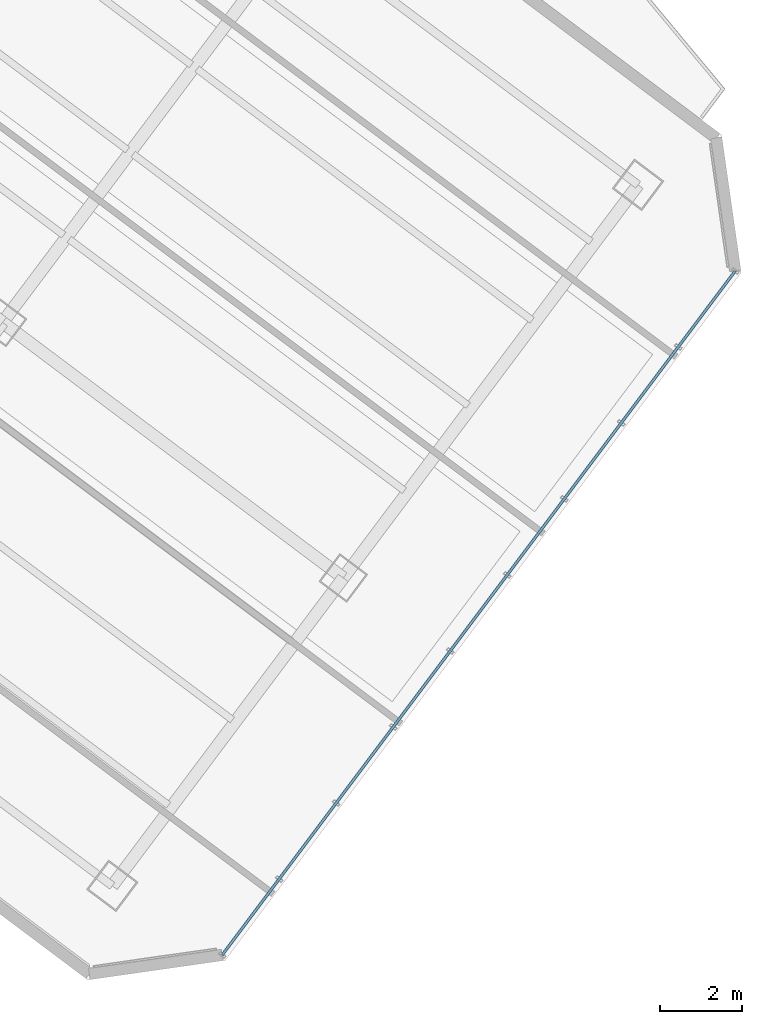
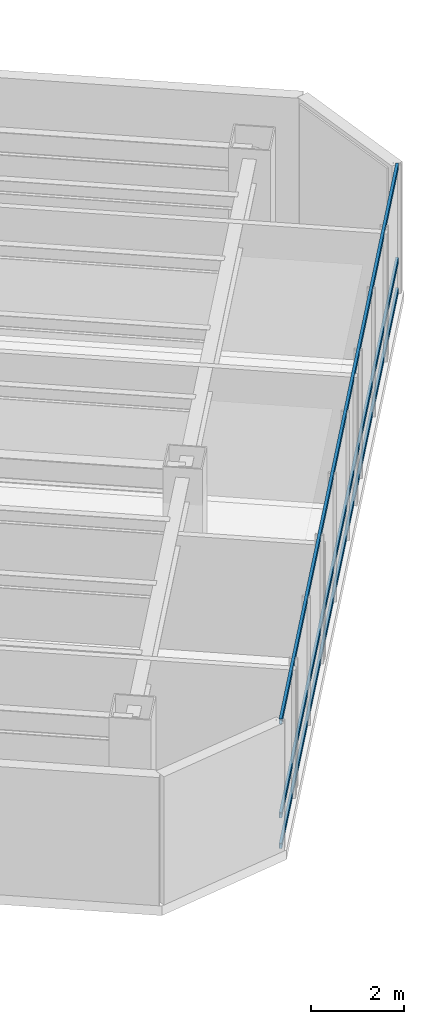
# One storey, part 9 of 31: 3 members, 1 element without a shape of its own.
"""IFC4 building model written with IfcOpenShell, lengths in metres."""

import ifcopenshell
import ifcopenshell.guid

model = None  # the IFC model being written
_history = None  # IfcOwnerHistory: only IFC2X3 demands one
_inside = {}  # id of a spatial element -> (the spatial element, [elements in it])
_under = {}  # id of a project, library or spatial element -> (it, [spatial elements below it])
_declared = {}  # id of a project -> (the project, [libraries it declares])
_typed = {}  # id of a type object -> (the type object, [elements of that type])
_made_of = {}  # id of a material, layer set ... -> (it, [elements and type objects made of it])


def new_model(schema):
    """Start an empty IFC model of exactly this schema.

    Asked for "IFC4X3", IfcOpenShell would pick the latest addendum, in which some entities
    have other attributes; the version numbers below select the first issue.
    IFC2X3 requires an IfcOwnerHistory on every rooted entity: one is made here for all.
    """
    global model, _history
    if schema == "IFC4X3":
        model = ifcopenshell.file(schema_version=(4, 3, 0, 0))
    else:
        model = ifcopenshell.file(schema=schema)
    _inside.clear()
    _under.clear()
    _declared.clear()
    _typed.clear()
    _made_of.clear()
    _history = None
    if model.schema == "IFC2X3":
        org = make("IfcOrganization", Name="unknown")
        user = make(
            "IfcPersonAndOrganization",
            ThePerson=make("IfcPerson", FamilyName="unknown"),
            TheOrganization=org,
        )
        app = make(
            "IfcApplication",
            ApplicationDeveloper=org,
            Version="unknown",
            ApplicationFullName="unknown",
            ApplicationIdentifier="unknown",
        )
        _history = make(
            "IfcOwnerHistory",
            OwningUser=user,
            OwningApplication=app,
            ChangeAction="ADDED",
            CreationDate=0,
        )
    return model


def make(cls, **values):
    """One entity of the class cls with the attributes given. An attribute that is None is left unset."""
    return model.create_entity(
        cls, **{name: value for name, value in values.items() if value is not None}
    )


def rooted(cls, **values):
    """An entity with a GlobalId (a new one), such as an element, a storey or a relation."""
    return make(cls, GlobalId=ifcopenshell.guid.new(), OwnerHistory=_history, **values)


def si_unit(unit_type, name, prefix=None):
    """IfcSIUnit, for example si_unit("LENGTHUNIT", "METRE", prefix="MILLI")."""
    return make("IfcSIUnit", UnitType=unit_type, Prefix=prefix, Name=name)


def assignment(units):
    """IfcUnitAssignment: the units of a project."""
    return None if units is None else make("IfcUnitAssignment", Units=units)


def point(xyz):
    """IfcCartesianPoint."""
    return None if xyz is None else make("IfcCartesianPoint", Coordinates=xyz)


def direction(xyz):
    """IfcDirection."""
    return None if xyz is None else make("IfcDirection", DirectionRatios=xyz)


def frame(location, z_axis=None, x_axis=None):
    """IfcAxis2Placement3D, a coordinate frame: its origin and axes. An axis left out is left unset."""
    return make(
        "IfcAxis2Placement3D",
        Location=point(location),
        Axis=direction(z_axis),
        RefDirection=direction(x_axis),
    )


def frame_2d(location, x_axis=None):
    """IfcAxis2Placement2D, a coordinate frame in the plane: its origin and x axis."""
    return make(
        "IfcAxis2Placement2D", Location=point(location), RefDirection=direction(x_axis)
    )


def origin():
    """The frame at (0, 0, 0) with its axes left unset."""
    return frame((0.0, 0.0, 0.0))


def origin_2d():
    """The frame at (0, 0) in the plane with its x axis left unset."""
    return frame_2d((0.0, 0.0))


def place(relative_to, where):
    """IfcLocalPlacement: puts the frame where relative to a parent placement (None: the world)."""
    return make(
        "IfcLocalPlacement", PlacementRelTo=relative_to, RelativePlacement=where
    )


def context(
    kind, dimensions, precision=None, world=None, true_north=None, identifier=None
):
    """IfcGeometricRepresentationContext, for example the 3D "Model" context."""
    return make(
        "IfcGeometricRepresentationContext",
        ContextIdentifier=identifier,
        ContextType=kind,
        CoordinateSpaceDimension=dimensions,
        Precision=precision,
        WorldCoordinateSystem=world,
        TrueNorth=true_north,
    )


def subcontext(parent, identifier, kind, view, scale=None):
    """IfcGeometricRepresentationSubContext, for example "Body" below "Model"."""
    return make(
        "IfcGeometricRepresentationSubContext",
        ContextIdentifier=identifier,
        ContextType=kind,
        ParentContext=parent,
        TargetScale=scale,
        TargetView=view,
    )


def project(units=None, contexts=None):
    """IfcProject with its units and contexts."""
    return rooted(
        "IfcProject",
        Name="project",
        RepresentationContexts=contexts,
        UnitsInContext=assignment(units),
    )


def spatial(cls, under=None, at=None, **own):
    """A site, building, storey or space (cls), placed at a placement, below another one or the project."""
    s = rooted(cls, ObjectPlacement=at, **own)
    if under is not None:
        _under.setdefault(under.id(), (under, []))[1].append(s)
    return s


def profile(cls, at=None, kind="AREA", **sizes):
    """A parametric profile (cls). Its sizes go by their IFC names, for example OverallWidth=200.0."""
    return make(cls, ProfileType=kind, Position=at, **sizes)


def hollow_rectangle(**sizes):
    """IfcRectangleHollowProfileDef."""
    return profile("IfcRectangleHollowProfileDef", **sizes)


def extrude(swept, where, along, depth):
    """IfcExtrudedAreaSolid: the profile swept, set in the frame where, extruded along a direction by depth."""
    return make(
        "IfcExtrudedAreaSolid",
        SweptArea=swept,
        Position=where,
        ExtrudedDirection=direction(along),
        Depth=depth,
    )


def shape(context_of_items, identifier, shape_type, items):
    """IfcShapeRepresentation: the items that make up one representation, for example the "Body"."""
    return make(
        "IfcShapeRepresentation",
        ContextOfItems=context_of_items,
        RepresentationIdentifier=identifier,
        RepresentationType=shape_type,
        Items=items,
    )


def material(Name=None, Category=None):
    """IfcMaterial."""
    return make("IfcMaterial", Name=Name, Category=Category)


def layer(
    of_material, thickness, ventilated=None, Name=None, Category=None, Priority=None
):
    """IfcMaterialLayer: one layer of a wall or slab, of a material (None: an air gap)."""
    return make(
        "IfcMaterialLayer",
        Material=of_material,
        LayerThickness=thickness,
        IsVentilated=ventilated,
        Name=Name,
        Category=Category,
        Priority=Priority,
    )


def layer_set(layers, Name=None):
    """IfcMaterialLayerSet."""
    return make("IfcMaterialLayerSet", MaterialLayers=layers, LayerSetName=Name)


def material_profile(
    of_material, cross_section, Name=None, Category=None, Priority=None
):
    """IfcMaterialProfile: a cross section and its material."""
    return make(
        "IfcMaterialProfile",
        Name=Name,
        Material=of_material,
        Profile=cross_section,
        Priority=Priority,
        Category=Category,
    )


def profile_set(profiles, Name=None, composite=None):
    """IfcMaterialProfileSet."""
    return make(
        "IfcMaterialProfileSet",
        Name=Name,
        MaterialProfiles=profiles,
        CompositeProfile=composite,
    )


def made_of(thing, what):
    """Note that an element or type object is made of a material, layer set ...; save() writes the relation."""
    if what is not None:
        _made_of.setdefault(what.id(), (what, []))[1].append(thing)
    return thing


def type_object(cls, material=None, **own):
    """A type object (cls), such as IfcWallType, which elements share."""
    return made_of(rooted(cls, **own), material)


def element(
    cls,
    number,
    at=None,
    inside=None,
    cuts=None,
    type_object=None,
    material=None,
    context=None,
    identifier="Body",
    shape_type=None,
    held_by="IfcProductDefinitionShape",
    body=None,
    shapes=None,
    **own,
):
    """One element of the class cls, such as IfcWall. Its Tag is "e" and its number.

    at: its placement. inside: the storey or other place that contains it. cuts: it is an
    opening in that element (IfcRelVoidsElement). A single representation is given by context,
    identifier, shape_type and body (its items); several are given by shapes. held_by: the class
    of the entity that holds the representations. save() writes the other relations.
    """
    e = rooted(cls, Tag="e%d" % number, ObjectPlacement=at, **own)
    if body is not None:
        shapes = [shape(context, identifier, shape_type, body)]
    if shapes is not None:
        e.Representation = make(held_by, Representations=shapes)
    if inside is not None:
        _inside.setdefault(inside.id(), (inside, []))[1].append(e)
    if cuts is not None:
        rooted(
            "IfcRelVoidsElement", RelatingBuildingElement=cuts, RelatedOpeningElement=e
        )
    if type_object is not None:
        _typed.setdefault(type_object.id(), (type_object, []))[1].append(e)
    return made_of(e, material)


def aggregate(whole, parts):
    """IfcRelAggregates: a whole, such as a stair, and the parts it consists of."""
    return rooted("IfcRelAggregates", RelatingObject=whole, RelatedObjects=parts)


def save(model, path):
    """Write the relations noted so far, then the file.

    IfcRelAggregates (storeys below a building ...), IfcRelContainedInSpatialStructure (elements
    in a storey), IfcRelDefinesByType, IfcRelAssociatesMaterial and IfcRelDeclares: one each for
    every whole, place, type object, material and project.
    """
    for whole, parts in _under.values():
        aggregate(whole, parts)
    for where, things in _inside.values():
        rooted(
            "IfcRelContainedInSpatialStructure",
            RelatedElements=things,
            RelatingStructure=where,
        )
    for kind, things in _typed.values():
        rooted("IfcRelDefinesByType", RelatedObjects=things, RelatingType=kind)
    for what, things in _made_of.values():
        rooted("IfcRelAssociatesMaterial", RelatedObjects=things, RelatingMaterial=what)
    for by, libraries in _declared.values():
        rooted("IfcRelDeclares", RelatingContext=by, RelatedDefinitions=libraries)
    model.write(path)


model = new_model("IFC4")

# Units and contexts
model_context = context("Model", 3, precision=1e-05, world=origin(), true_north=direction((0.0, 1.0)))
body_context = subcontext(model_context, "Body", "Model", "MODEL_VIEW")
ifc_project = project(units=[si_unit("LENGTHUNIT", "METRE"), si_unit("AREAUNIT", "SQUARE_METRE"), si_unit("VOLUMEUNIT", "CUBIC_METRE"), si_unit("PLANEANGLEUNIT", "RADIAN"), si_unit("MASSUNIT", "GRAM", prefix="KILO")], contexts=[model_context])

# Site, building, storey
site_placement = place(None, origin())
site = spatial("IfcSite", under=ifc_project, at=site_placement, CompositionType="ELEMENT")
building_placement = place(site_placement, origin())
building = spatial("IfcBuilding", under=site, at=building_placement, Name="Hatsunagi Terrace Concourse", CompositionType="ELEMENT")
storey_placement = place(building_placement, frame((0.0, 0.0, 112.050048828125)))
storey = spatial("IfcBuildingStorey", under=building, at=storey_placement, Name="L29", CompositionType="ELEMENT", Elevation=112.050048828125)

# Curtain wall, members
ifc_material_1 = material(Name="Anodised Aluminium Alloy 6063-T5", Category="aluminium")
ifc_layer = layer(ifc_material_1, 0.199951171875)
ifc_layer_set = layer_set([ifc_layer], Name="OfficeZone1_CW03")
curtain_wall_type = type_object("IfcCurtainWallType", Name="OfficeZone1_CW03", PredefinedType="NOTDEFINED", material=ifc_layer_set)
curtain_wall_placement = place(storey_placement, origin())
curtain_wall = element("IfcCurtainWall", 1, at=curtain_wall_placement, inside=storey, type_object=curtain_wall_type, Name="Unitised Curtain Wall CW-03 CW-L29-03", PredefinedType="NOTDEFINED")
ifc_material_2 = material(Name="Anodised Aluminium Alloy 6063-T5", Category="aluminium")
ifc_material_profile = material_profile(ifc_material_2, hollow_rectangle(XDim=0.06494140625, YDim=0.139892578125, WallThickness=0.00390625, at=origin_2d()), Name="ALU-TRN-140x65x4")
ifc_profile_set = profile_set([ifc_material_profile], Name="Anodised Aluminium Alloy 6063-T5")
member_type = type_object("IfcMemberType", Name="CurtainWallTransom_140x65", PredefinedType="USERDEFINED", material=ifc_profile_set)
member_1_placement = place(storey_placement, frame((69.093017578125, 19.657958984375, 0.050048828125), z_axis=(-0.599970072971, -0.800022444397, 0.0), x_axis=(0.800022444397, -0.599970072971, 0.0)))
member_1 = element("IfcMember", 2, at=member_1_placement, type_object=member_type, Name="Curtain Wall Transom TRN-02", ObjectType="TRANSOM", PredefinedType="USERDEFINED", context=body_context, shape_type="SweptSolid", body=[
    extrude(hollow_rectangle(XDim=0.06494140625, YDim=0.139892578125, WallThickness=0.00390625, at=origin_2d()), origin(), (0.0, 0.0, 1.0), 20.884521484375),
])
member_2_placement = place(storey_placement, frame((69.093017578125, 19.657958984375, 0.849853515625), z_axis=(-0.599970072971, -0.800022444397, 0.0), x_axis=(0.800022444397, -0.599970072971, 0.0)))
member_2 = element("IfcMember", 3, at=member_2_placement, type_object=member_type, Name="Curtain Wall Transom TRN-02", ObjectType="TRANSOM", PredefinedType="USERDEFINED", context=body_context, shape_type="SweptSolid", body=[
    extrude(hollow_rectangle(XDim=0.06494140625, YDim=0.139892578125, WallThickness=0.00390625, at=origin_2d()), origin(), (0.0, 0.0, 1.0), 20.884521484375),
])
member_3_placement = place(storey_placement, frame((69.093017578125, 19.657958984375, 3.300048828125), z_axis=(-0.599970072971, -0.800022444397, 0.0), x_axis=(0.800022444397, -0.599970072971, 0.0)))
member_3 = element("IfcMember", 4, at=member_3_placement, type_object=member_type, Name="Curtain Wall Transom TRN-02", ObjectType="TRANSOM", PredefinedType="USERDEFINED", context=body_context, shape_type="SweptSolid", body=[
    extrude(hollow_rectangle(XDim=0.06494140625, YDim=0.139892578125, WallThickness=0.00390625, at=origin_2d()), origin(), (0.0, 0.0, 1.0), 20.884521484375),
])
aggregate(curtain_wall, [member_1, member_2, member_3])

save(model, "model.ifc")
